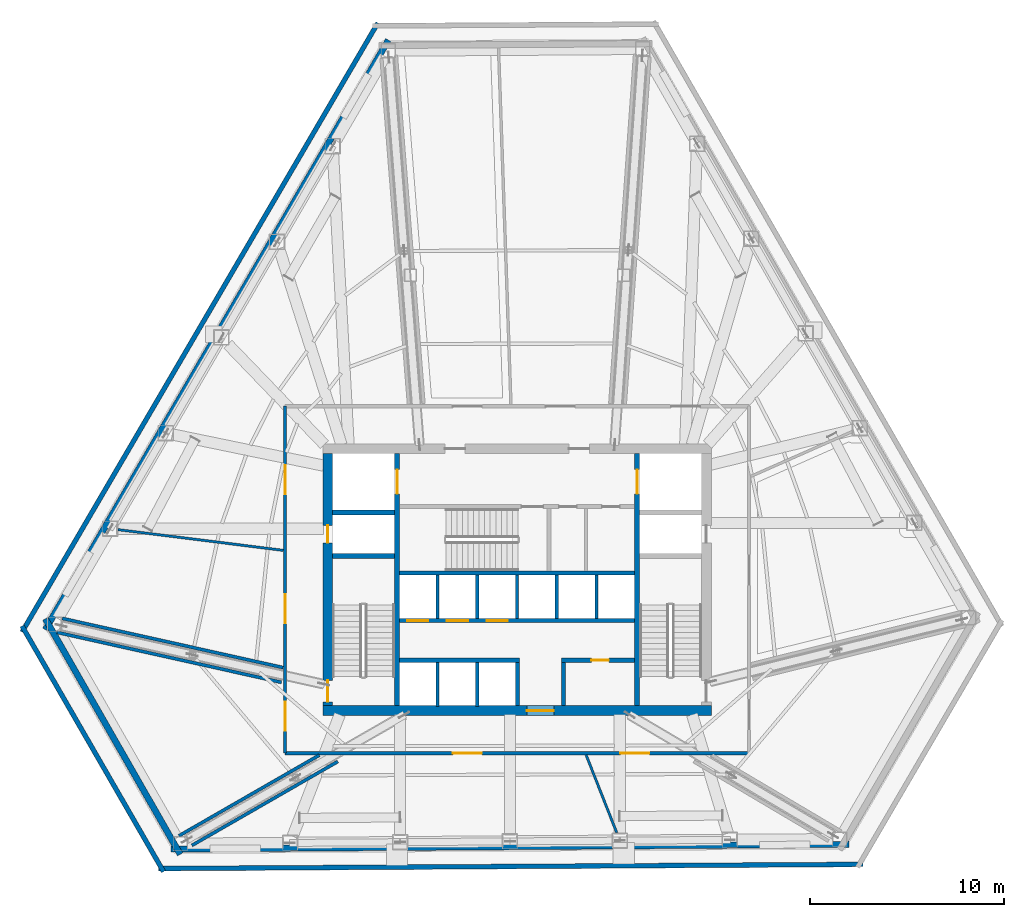
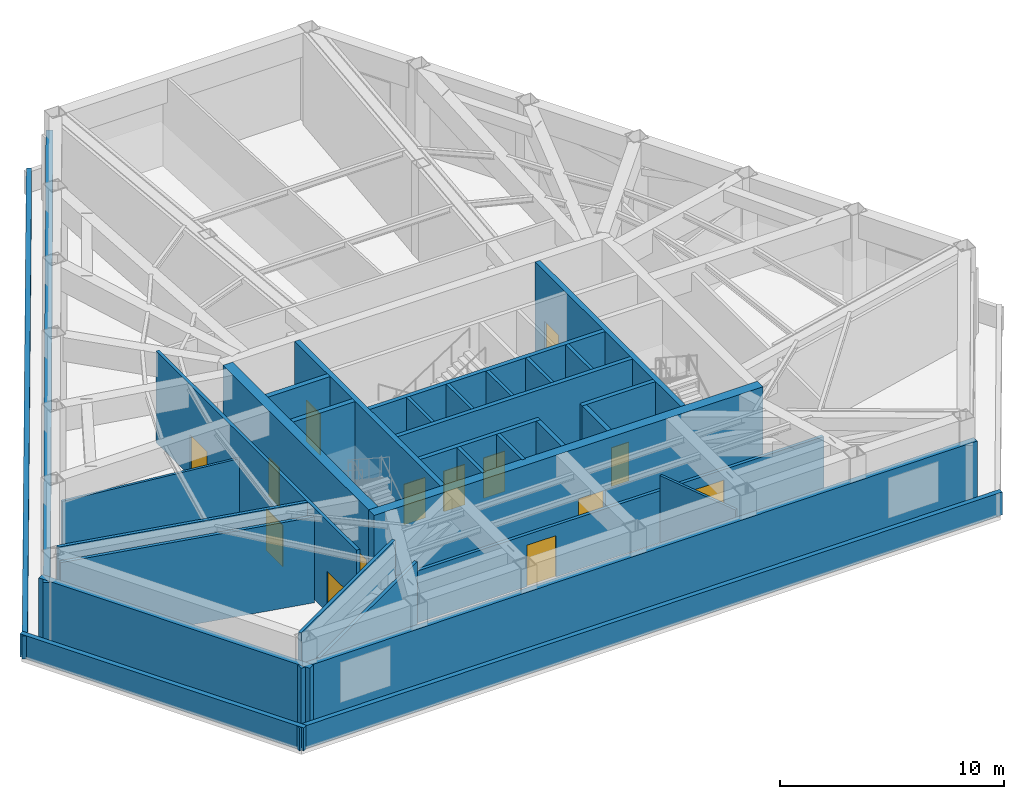
# One storey, part 8 of 12: 33 walls, 14 doors, 14 openings.
"""IFC4 building model written with IfcOpenShell, lengths in metres."""

import ifcopenshell
import ifcopenshell.guid

model = None  # the IFC model being written
_history = None  # IfcOwnerHistory: only IFC2X3 demands one
_inside = {}  # id of a spatial element -> (the spatial element, [elements in it])
_under = {}  # id of a project, library or spatial element -> (it, [spatial elements below it])
_declared = {}  # id of a project -> (the project, [libraries it declares])
_typed = {}  # id of a type object -> (the type object, [elements of that type])
_made_of = {}  # id of a material, layer set ... -> (it, [elements and type objects made of it])


def new_model(schema):
    """Start an empty IFC model of exactly this schema.

    Asked for "IFC4X3", IfcOpenShell would pick the latest addendum, in which some entities
    have other attributes; the version numbers below select the first issue.
    IFC2X3 requires an IfcOwnerHistory on every rooted entity: one is made here for all.
    """
    global model, _history
    if schema == "IFC4X3":
        model = ifcopenshell.file(schema_version=(4, 3, 0, 0))
    else:
        model = ifcopenshell.file(schema=schema)
    _inside.clear()
    _under.clear()
    _declared.clear()
    _typed.clear()
    _made_of.clear()
    _history = None
    if model.schema == "IFC2X3":
        org = make("IfcOrganization", Name="unknown")
        user = make(
            "IfcPersonAndOrganization",
            ThePerson=make("IfcPerson", FamilyName="unknown"),
            TheOrganization=org,
        )
        app = make(
            "IfcApplication",
            ApplicationDeveloper=org,
            Version="unknown",
            ApplicationFullName="unknown",
            ApplicationIdentifier="unknown",
        )
        _history = make(
            "IfcOwnerHistory",
            OwningUser=user,
            OwningApplication=app,
            ChangeAction="ADDED",
            CreationDate=0,
        )
    return model


def make(cls, **values):
    """One entity of the class cls with the attributes given. An attribute that is None is left unset."""
    return model.create_entity(
        cls, **{name: value for name, value in values.items() if value is not None}
    )


def rooted(cls, **values):
    """An entity with a GlobalId (a new one), such as an element, a storey or a relation."""
    return make(cls, GlobalId=ifcopenshell.guid.new(), OwnerHistory=_history, **values)


def si_unit(unit_type, name, prefix=None):
    """IfcSIUnit, for example si_unit("LENGTHUNIT", "METRE", prefix="MILLI")."""
    return make("IfcSIUnit", UnitType=unit_type, Prefix=prefix, Name=name)


def assignment(units):
    """IfcUnitAssignment: the units of a project."""
    return None if units is None else make("IfcUnitAssignment", Units=units)


def point(xyz):
    """IfcCartesianPoint."""
    return None if xyz is None else make("IfcCartesianPoint", Coordinates=xyz)


def direction(xyz):
    """IfcDirection."""
    return None if xyz is None else make("IfcDirection", DirectionRatios=xyz)


def frame(location, z_axis=None, x_axis=None):
    """IfcAxis2Placement3D, a coordinate frame: its origin and axes. An axis left out is left unset."""
    return make(
        "IfcAxis2Placement3D",
        Location=point(location),
        Axis=direction(z_axis),
        RefDirection=direction(x_axis),
    )


def frame_2d(location, x_axis=None):
    """IfcAxis2Placement2D, a coordinate frame in the plane: its origin and x axis."""
    return make(
        "IfcAxis2Placement2D", Location=point(location), RefDirection=direction(x_axis)
    )


def origin():
    """The frame at (0, 0, 0) with its axes left unset."""
    return frame((0.0, 0.0, 0.0))


def place(relative_to, where):
    """IfcLocalPlacement: puts the frame where relative to a parent placement (None: the world)."""
    return make(
        "IfcLocalPlacement", PlacementRelTo=relative_to, RelativePlacement=where
    )


def context(
    kind, dimensions, precision=None, world=None, true_north=None, identifier=None
):
    """IfcGeometricRepresentationContext, for example the 3D "Model" context."""
    return make(
        "IfcGeometricRepresentationContext",
        ContextIdentifier=identifier,
        ContextType=kind,
        CoordinateSpaceDimension=dimensions,
        Precision=precision,
        WorldCoordinateSystem=world,
        TrueNorth=true_north,
    )


def subcontext(parent, identifier, kind, view, scale=None):
    """IfcGeometricRepresentationSubContext, for example "Body" below "Model"."""
    return make(
        "IfcGeometricRepresentationSubContext",
        ContextIdentifier=identifier,
        ContextType=kind,
        ParentContext=parent,
        TargetScale=scale,
        TargetView=view,
    )


def project(units=None, contexts=None):
    """IfcProject with its units and contexts."""
    return rooted(
        "IfcProject",
        Name="project",
        RepresentationContexts=contexts,
        UnitsInContext=assignment(units),
    )


def spatial(cls, under=None, at=None, **own):
    """A site, building, storey or space (cls), placed at a placement, below another one or the project."""
    s = rooted(cls, ObjectPlacement=at, **own)
    if under is not None:
        _under.setdefault(under.id(), (under, []))[1].append(s)
    return s


def profile(cls, at=None, kind="AREA", **sizes):
    """A parametric profile (cls). Its sizes go by their IFC names, for example OverallWidth=200.0."""
    return make(cls, ProfileType=kind, Position=at, **sizes)


def rectangle(**sizes):
    """IfcRectangleProfileDef."""
    return profile("IfcRectangleProfileDef", **sizes)


def extrude(swept, where, along, depth):
    """IfcExtrudedAreaSolid: the profile swept, set in the frame where, extruded along a direction by depth."""
    return make(
        "IfcExtrudedAreaSolid",
        SweptArea=swept,
        Position=where,
        ExtrudedDirection=direction(along),
        Depth=depth,
    )


def shape(context_of_items, identifier, shape_type, items):
    """IfcShapeRepresentation: the items that make up one representation, for example the "Body"."""
    return make(
        "IfcShapeRepresentation",
        ContextOfItems=context_of_items,
        RepresentationIdentifier=identifier,
        RepresentationType=shape_type,
        Items=items,
    )


def material(Name=None, Category=None):
    """IfcMaterial."""
    return make("IfcMaterial", Name=Name, Category=Category)


def layer(
    of_material, thickness, ventilated=None, Name=None, Category=None, Priority=None
):
    """IfcMaterialLayer: one layer of a wall or slab, of a material (None: an air gap)."""
    return make(
        "IfcMaterialLayer",
        Material=of_material,
        LayerThickness=thickness,
        IsVentilated=ventilated,
        Name=Name,
        Category=Category,
        Priority=Priority,
    )


def layer_set(layers, Name=None):
    """IfcMaterialLayerSet."""
    return make("IfcMaterialLayerSet", MaterialLayers=layers, LayerSetName=Name)


def made_of(thing, what):
    """Note that an element or type object is made of a material, layer set ...; save() writes the relation."""
    if what is not None:
        _made_of.setdefault(what.id(), (what, []))[1].append(thing)
    return thing


def type_object(cls, material=None, **own):
    """A type object (cls), such as IfcWallType, which elements share."""
    return made_of(rooted(cls, **own), material)


def element(
    cls,
    number,
    at=None,
    inside=None,
    cuts=None,
    type_object=None,
    material=None,
    context=None,
    identifier="Body",
    shape_type=None,
    held_by="IfcProductDefinitionShape",
    body=None,
    shapes=None,
    **own,
):
    """One element of the class cls, such as IfcWall. Its Tag is "e" and its number.

    at: its placement. inside: the storey or other place that contains it. cuts: it is an
    opening in that element (IfcRelVoidsElement). A single representation is given by context,
    identifier, shape_type and body (its items); several are given by shapes. held_by: the class
    of the entity that holds the representations. save() writes the other relations.
    """
    e = rooted(cls, Tag="e%d" % number, ObjectPlacement=at, **own)
    if body is not None:
        shapes = [shape(context, identifier, shape_type, body)]
    if shapes is not None:
        e.Representation = make(held_by, Representations=shapes)
    if inside is not None:
        _inside.setdefault(inside.id(), (inside, []))[1].append(e)
    if cuts is not None:
        rooted(
            "IfcRelVoidsElement", RelatingBuildingElement=cuts, RelatedOpeningElement=e
        )
    if type_object is not None:
        _typed.setdefault(type_object.id(), (type_object, []))[1].append(e)
    return made_of(e, material)


def fill(opening, filler):
    """IfcRelFillsElement: the door or window that sits in an opening."""
    return rooted(
        "IfcRelFillsElement",
        RelatingOpeningElement=opening,
        RelatedBuildingElement=filler,
    )


def aggregate(whole, parts):
    """IfcRelAggregates: a whole, such as a stair, and the parts it consists of."""
    return rooted("IfcRelAggregates", RelatingObject=whole, RelatedObjects=parts)


def save(model, path):
    """Write the relations noted so far, then the file.

    IfcRelAggregates (storeys below a building ...), IfcRelContainedInSpatialStructure (elements
    in a storey), IfcRelDefinesByType, IfcRelAssociatesMaterial and IfcRelDeclares: one each for
    every whole, place, type object, material and project.
    """
    for whole, parts in _under.values():
        aggregate(whole, parts)
    for where, things in _inside.values():
        rooted(
            "IfcRelContainedInSpatialStructure",
            RelatedElements=things,
            RelatingStructure=where,
        )
    for kind, things in _typed.values():
        rooted("IfcRelDefinesByType", RelatedObjects=things, RelatingType=kind)
    for what, things in _made_of.values():
        rooted("IfcRelAssociatesMaterial", RelatedObjects=things, RelatingMaterial=what)
    for by, libraries in _declared.values():
        rooted("IfcRelDeclares", RelatingContext=by, RelatedDefinitions=libraries)
    model.write(path)


model = new_model("IFC4")

# Units and contexts
model_context = context("Model", 3, precision=1e-05, world=origin(), true_north=direction((0.0, 1.0)))
body_context = subcontext(model_context, "Body", "Model", "MODEL_VIEW")
ifc_project = project(units=[si_unit("LENGTHUNIT", "METRE"), si_unit("AREAUNIT", "SQUARE_METRE"), si_unit("VOLUMEUNIT", "CUBIC_METRE"), si_unit("PLANEANGLEUNIT", "RADIAN"), si_unit("MASSUNIT", "GRAM", prefix="KILO")], contexts=[model_context])

# Site, building, storey
site_placement = place(None, origin())
site = spatial("IfcSite", under=ifc_project, at=site_placement, CompositionType="ELEMENT")
building_placement = place(site_placement, origin())
building = spatial("IfcBuilding", under=site, at=building_placement, Name="Kavelnor Concourse Tower", CompositionType="ELEMENT")
storey_placement = place(building_placement, frame((0.0, 0.0, 75.300048828125)))
storey = spatial("IfcBuildingStorey", under=building, at=storey_placement, Name="L19", CompositionType="ELEMENT", Elevation=75.300048828125)

# Wall, opening, door
ifc_material_1 = material(Name="Concrete C60/75", Category="concrete")
ifc_layer_1 = layer(ifc_material_1, 0.5, Name="Concrete C60/75")
ifc_layer_set_1 = layer_set([ifc_layer_1], Name="Concrete C60/75")
wall_type_1 = type_object("IfcWallType", Name="WL-CORE-Z2-500", PredefinedType="SOLIDWALL", material=ifc_layer_set_1)
wall_1_placement = place(storey_placement, frame((27.97998046875, 9.35009765625, 0.0), z_axis=(0.0, 0.0, 1.0), x_axis=(1.0, 0.0, 0.0)))
wall_1 = element("IfcWall", 1, at=wall_1_placement, inside=storey, type_object=wall_type_1, Name="L19 Central Core South Shear Wall", PredefinedType="SOLIDWALL", context=body_context, shape_type="SweptSolid", body=[
    extrude(rectangle(XDim=20.0400390625, YDim=0.5, at=frame_2d((10.02001953125, 0.0))), origin(), (0.0, 0.0, 1.0), 4.98486328125),
])
opening_1_placement = place(wall_1_placement, frame((10.52001953125, 0.0, 0.0)))
opening_1 = element("IfcOpeningElement", 2, at=opening_1_placement, cuts=wall_1, Name="Opening SD-140", PredefinedType="OPENING", context=body_context, shape_type="SweptSolid", body=[
    extrude(rectangle(XDim=1.39990234375, YDim=2.199951171875, at=frame_2d((0.699951171875, 1.10009765625))), frame((0.0, 0.260009765625, 0.0), z_axis=(0.0, -1.0, 0.0), x_axis=(1.0, 0.0, 0.0)), (0.0, 0.0, 1.0), 0.52001953125),
])
ifc_material_2 = material(Name="Solid-core hardwood timber", Category="wood")
door_type_1 = type_object("IfcDoorType", Name="DR-SUITE-ENTRY-1400", OperationType="NOTDEFINED", PredefinedType="DOOR", material=ifc_material_2)
door_1_placement = place(opening_1_placement, origin())
door_1 = element("IfcDoor", 3, at=door_1_placement, inside=storey, type_object=door_type_1, Name="L19 Passenger Lift Lobby Entry Door", OperationType="SINGLE_SWING_RIGHT", OverallHeight=2.199951171875, OverallWidth=1.39990234375, PredefinedType="DOOR", context=body_context, shape_type="SweptSolid", body=[
    extrude(rectangle(XDim=1.39990234375, YDim=2.199951171875, at=frame_2d((0.699951171875, 1.10009765625))), frame((0.0, 0.02490234375, 0.0), z_axis=(0.0, -1.0, 0.0), x_axis=(1.0, 0.0, 0.0)), (0.0, 0.0, 1.0), 0.050048828125),
])
fill(opening_1, door_1)

# Wall, openings, doors
wall_2_placement = place(storey_placement, frame((28.22998046875, 9.60009765625, 0.0), z_axis=(0.0, 0.0, 1.0), x_axis=(0.0, 1.0, 0.0)))
wall_2 = element("IfcWall", 4, at=wall_2_placement, inside=storey, type_object=wall_type_1, Name="L19 Central Core West Shear Wall", PredefinedType="SOLIDWALL", context=body_context, shape_type="SweptSolid", body=[
    extrude(rectangle(XDim=13.0, YDim=0.5, at=frame_2d((6.5, 0.0))), origin(), (0.0, 0.0, 1.0), 4.98486328125),
])
opening_2_placement = place(wall_2_placement, frame((0.199951171875, 0.0, 0.0)))
opening_2 = element("IfcOpeningElement", 5, at=opening_2_placement, cuts=wall_2, Name="Opening FD-110", PredefinedType="OPENING", context=body_context, shape_type="SweptSolid", body=[
    extrude(rectangle(XDim=1.10009765625, YDim=2.14990234375, at=frame_2d((0.550048828125, 1.074951171875))), frame((0.0, 0.260009765625, 0.0), z_axis=(0.0, -1.0, 0.0), x_axis=(1.0, 0.0, 0.0)), (0.0, 0.0, 1.0), 0.52001953125),
])
opening_3_placement = place(wall_2_placement, frame((8.39990234375, 0.0, 0.0)))
opening_3 = element("IfcOpeningElement", 6, at=opening_3_placement, cuts=wall_2, Name="Opening FD-090", PredefinedType="OPENING", context=body_context, shape_type="SweptSolid", body=[
    extrude(rectangle(XDim=0.89990234375, YDim=2.10009765625, at=frame_2d((0.449951171875, 1.050048828125))), frame((0.0, 0.260009765625, 0.0), z_axis=(0.0, -1.0, 0.0), x_axis=(1.0, 0.0, 0.0)), (0.0, 0.0, 1.0), 0.52001953125),
])
ifc_material_3 = material(Name="Steel Grade 350", Category="steel")
door_type_2 = type_object("IfcDoorType", Name="DR-RISER-FIRE-900", OperationType="NOTDEFINED", PredefinedType="DOOR", material=ifc_material_3)
door_2_placement = place(opening_3_placement, origin())
door_2 = element("IfcDoor", 7, at=door_2_placement, inside=storey, type_object=door_type_2, Name="L19 West Riser Access Door", OperationType="SINGLE_SWING_RIGHT", OverallHeight=2.10009765625, OverallWidth=0.89990234375, PredefinedType="DOOR", context=body_context, shape_type="SweptSolid", body=[
    extrude(rectangle(XDim=0.89990234375, YDim=2.10009765625, at=frame_2d((0.449951171875, 1.050048828125))), frame((0.0, 0.02490234375, 0.0), z_axis=(0.0, -1.0, 0.0), x_axis=(1.0, 0.0, 0.0)), (0.0, 0.0, 1.0), 0.050048828125),
])
fill(opening_3, door_2)
door_type_3 = type_object("IfcDoorType", Name="DR-STAIR-FIRE-1100", OperationType="NOTDEFINED", PredefinedType="DOOR", material=ifc_material_3)
door_3_placement = place(opening_2_placement, origin())
door_3 = element("IfcDoor", 8, at=door_3_placement, inside=storey, type_object=door_type_3, Name="L19 Stair ST1 Fire Door", OperationType="SINGLE_SWING_LEFT", OverallHeight=2.14990234375, OverallWidth=1.10009765625, PredefinedType="DOOR", context=body_context, shape_type="SweptSolid", body=[
    extrude(rectangle(XDim=1.10009765625, YDim=2.14990234375, at=frame_2d((0.550048828125, 1.074951171875))), frame((0.0, 0.02490234375, 0.0), z_axis=(0.0, -1.0, 0.0), x_axis=(1.0, 0.0, 0.0)), (0.0, 0.0, 1.0), 0.050048828125),
])
fill(opening_2, door_3)

# Walls
ifc_material_4 = material(Name="Buff ironspot clay face brick masonry", Category="masonry")
ifc_layer_2 = layer(ifc_material_4, 0.320068359375, Name="Buff ironspot clay face brick masonry")
ifc_layer_set_2 = layer_set([ifc_layer_2], Name="Buff ironspot clay face brick masonry")
wall_type_2 = type_object("IfcWallType", Name="WL-EXT-BUFF-BRICK-SPANDREL-320", PredefinedType="STANDARD", material=ifc_layer_set_2)
wall_3_placement = place(storey_placement, frame((13.66455078125, 13.523681640625, 0.0), z_axis=(0.0, 0.0, 1.0), x_axis=(0.50295003743, 0.864315486295, 0.0)))
element("IfcWall", 9, at=wall_3_placement, inside=storey, type_object=wall_type_2, Name="L19 Exterior Brick Facade Wall E1", PredefinedType="STANDARD", context=body_context, shape_type="SweptSolid", body=[
    extrude(rectangle(XDim=35.18359375, YDim=0.320068359375, at=frame_2d((17.591796875, 0.0))), origin(), (0.0, 0.0, 1.0), 3.677001953125),
])
wall_4_placement = place(storey_placement, frame((20.624755859375, 1.931396484375, 0.0), z_axis=(0.0, 0.0, 1.0), x_axis=(-0.497008188636, 0.867745850136, 0.0)))
element("IfcWall", 10, at=wall_4_placement, inside=storey, type_object=wall_type_2, Name="L19 Exterior Brick Facade Wall E2", PredefinedType="STANDARD", context=body_context, shape_type="SweptSolid", body=[
    extrude(rectangle(XDim=14.000244140625, YDim=0.320068359375, at=frame_2d((7.0, 0.0))), origin(), (0.0, 0.0, 1.0), 3.677001953125),
])
wall_5_placement = place(storey_placement, frame((55.119384765625, 2.44921875, 0.0), z_axis=(0.0, 0.0, 1.0), x_axis=(-0.999976414427, -0.00686808493, 0.0)))
element("IfcWall", 11, at=wall_5_placement, inside=storey, type_object=wall_type_2, Name="L19 Exterior Brick Facade Wall E3", PredefinedType="STANDARD", context=body_context, shape_type="SweptSolid", body=[
    extrude(rectangle(XDim=34.978271484375, YDim=0.320068359375, at=frame_2d((17.4892578125, 0.0))), origin(), (0.0, 0.0, 1.0), 3.677001953125),
])
ifc_material_5 = material(Name="Gypsum plasterboard on light-gauge steel studs", Category="steel")
ifc_layer_3 = layer(ifc_material_5, 0.1650390625, Name="Gypsum plasterboard on light-gauge steel studs")
ifc_layer_set_3 = layer_set([ifc_layer_3], Name="Gypsum plasterboard on light-gauge steel studs")
wall_type_3 = type_object("IfcWallType", Name="WL-INT-FIRE-165", PredefinedType="PARTITIONING", material=ifc_layer_set_3)
for number, where, z_axis, x_axis, name in (
    (12, (33.89990234375, 9.550048828125, 0.0), (0.0, 0.0, 1.0), (0.0, 1.0, 0.0), "L19 Lift Shaft Divider LP7"),
    (13, (35.949951171875, 9.550048828125, 0.0), (0.0, 0.0, 1.0), (0.0, 1.0, 0.0), "L19 Lift Shaft Divider LP8"),
):
    element("IfcWall", number, at=place(storey_placement, frame(where, z_axis=z_axis, x_axis=x_axis)), inside=storey, type_object=wall_type_3, Name=name, PredefinedType="PARTITIONING", context=body_context, shape_type="SweptSolid", body=[
        extrude(rectangle(XDim=2.2900390625, YDim=0.1650390625, at=frame_2d((1.14501953125, 0.0))), origin(), (0.0, 0.0, 1.0), 4.98486328125),
    ])
for number, where, z_axis, x_axis, name in (
    (14, (33.89990234375, 14.10009765625, 0.0), (0.0, 0.0, 1.0), (0.0, 1.0, 0.0), "L19 Lift Shaft Divider LP1"),
    (15, (35.949951171875, 14.10009765625, 0.0), (0.0, 0.0, 1.0), (0.0, 1.0, 0.0), "L19 Lift Shaft Divider LP2"),
    (16, (38.0, 14.10009765625, 0.0), (0.0, 0.0, 1.0), (0.0, 1.0, 0.0), "L19 Lift Shaft Divider LP3"),
    (17, (40.050048828125, 14.10009765625, 0.0), (0.0, 0.0, 1.0), (0.0, 1.0, 0.0), "L19 Lift Shaft Divider LP4"),
    (18, (42.10009765625, 14.10009765625, 0.0), (0.0, 0.0, 1.0), (0.0, 1.0, 0.0), "L19 Lift Shaft Divider LP5"),
):
    element("IfcWall", number, at=place(storey_placement, frame(where, z_axis=z_axis, x_axis=x_axis)), inside=storey, type_object=wall_type_3, Name=name, PredefinedType="PARTITIONING", context=body_context, shape_type="SweptSolid", body=[
        extrude(rectangle(XDim=2.239990234375, YDim=0.1650390625, at=frame_2d((1.1201171875, 0.0))), origin(), (0.0, 0.0, 1.0), 4.98486328125),
    ])

# Wall, openings, doors
wall_6_placement = place(storey_placement, frame((26.030029296875, 7.14990234375, 0.0), z_axis=(0.0, 0.0, 1.0), x_axis=(1.0, 0.0, 0.0)))
wall_6 = element("IfcWall", 19, at=wall_6_placement, inside=storey, type_object=wall_type_3, Name="L19 Corridor Wall WL-L19-CR-S", PredefinedType="PARTITIONING", context=body_context, shape_type="SweptSolid", body=[
    extrude(rectangle(XDim=23.93994140625, YDim=0.1650390625, at=frame_2d((11.969970703125, 0.0))), origin(), (0.0, 0.0, 1.0), 2.824951171875),
])
opening_4_placement = place(wall_6_placement, frame((8.652099609375, 0.0, 0.0)))
opening_4 = element("IfcOpeningElement", 20, at=opening_4_placement, cuts=wall_6, Name="Opening PD-150", PredefinedType="OPENING", context=body_context, shape_type="SweptSolid", body=[
    extrude(rectangle(XDim=1.5, YDim=2.25, at=frame_2d((0.75, 1.125))), frame((0.0, 0.092529296875, 0.0), z_axis=(0.0, -1.0, 0.0), x_axis=(1.0, 0.0, 0.0)), (0.0, 0.0, 1.0), 0.18505859375),
])
opening_5_placement = place(wall_6_placement, frame((17.29541015625, 0.0, 0.0)))
opening_5 = element("IfcOpeningElement", 21, at=opening_5_placement, cuts=wall_6, Name="Opening PD-150", PredefinedType="OPENING", context=body_context, shape_type="SweptSolid", body=[
    extrude(rectangle(XDim=1.5, YDim=2.25, at=frame_2d((0.75, 1.125))), frame((0.0, 0.092529296875, 0.0), z_axis=(0.0, -1.0, 0.0), x_axis=(1.0, 0.0, 0.0)), (0.0, 0.0, 1.0), 0.18505859375),
])
door_type_4 = type_object("IfcDoorType", Name="DR-PLANT-1500", OperationType="NOTDEFINED", PredefinedType="DOOR", material=ifc_material_3)
door_4_placement = place(opening_4_placement, origin())
door_4 = element("IfcDoor", 22, at=door_4_placement, inside=storey, type_object=door_type_4, Name="L19 Refuge Area North-West 08 Door", OperationType="DOUBLE_DOOR_SINGLE_SWING", OverallHeight=2.25, OverallWidth=1.5, PredefinedType="DOOR", context=body_context, shape_type="SweptSolid", body=[
    extrude(rectangle(XDim=1.5, YDim=2.25, at=frame_2d((0.75, 1.125))), frame((0.0, 0.02490234375, 0.0), z_axis=(0.0, -1.0, 0.0), x_axis=(1.0, 0.0, 0.0)), (0.0, 0.0, 1.0), 0.050048828125),
])
fill(opening_4, door_4)
door_5_placement = place(opening_5_placement, origin())
door_5 = element("IfcDoor", 23, at=door_5_placement, inside=storey, type_object=door_type_4, Name="L19 Air Handling and Chiller Plant Room 09 Door", OperationType="DOUBLE_DOOR_SINGLE_SWING", OverallHeight=2.25, OverallWidth=1.5, PredefinedType="DOOR", context=body_context, shape_type="SweptSolid", body=[
    extrude(rectangle(XDim=1.5, YDim=2.25, at=frame_2d((0.75, 1.125))), frame((0.0, 0.02490234375, 0.0), z_axis=(0.0, -1.0, 0.0), x_axis=(1.0, 0.0, 0.0)), (0.0, 0.0, 1.0), 0.050048828125),
])
fill(opening_5, door_5)

wall_7_placement = place(storey_placement, frame((26.030029296875, 7.14990234375, 0.0), z_axis=(0.0, 0.0, 1.0), x_axis=(0.0, 1.0, 0.0)))
wall_7 = element("IfcWall", 24, at=wall_7_placement, inside=storey, type_object=wall_type_3, Name="L19 Corridor Wall WL-L19-CR-W", PredefinedType="PARTITIONING", context=body_context, shape_type="SweptSolid", body=[
    extrude(rectangle(XDim=17.900146484375, YDim=0.1650390625, at=frame_2d((8.9501953125, 0.0))), origin(), (0.0, 0.0, 1.0), 4.98486328125),
])
opening_6_placement = place(wall_7_placement, frame((13.347412109375, 0.0, 0.0)))
opening_6 = element("IfcOpeningElement", 25, at=opening_6_placement, cuts=wall_7, Name="Opening PD-150", PredefinedType="OPENING", context=body_context, shape_type="SweptSolid", body=[
    extrude(rectangle(XDim=1.5, YDim=2.25, at=frame_2d((0.75, 1.125))), frame((0.0, 0.092529296875, 0.0), z_axis=(0.0, -1.0, 0.0), x_axis=(1.0, 0.0, 0.0)), (0.0, 0.0, 1.0), 0.18505859375),
])
opening_7_placement = place(wall_7_placement, frame((6.696533203125, 0.0, 0.0)))
opening_7 = element("IfcOpeningElement", 26, at=opening_7_placement, cuts=wall_7, Name="Opening PD-150", PredefinedType="OPENING", context=body_context, shape_type="SweptSolid", body=[
    extrude(rectangle(XDim=1.5, YDim=2.25, at=frame_2d((0.75, 1.125))), frame((0.0, 0.092529296875, 0.0), z_axis=(0.0, -1.0, 0.0), x_axis=(1.0, 0.0, 0.0)), (0.0, 0.0, 1.0), 0.18505859375),
])
opening_8_placement = place(wall_7_placement, frame((1.147216796875, 0.0, 0.0)))
opening_8 = element("IfcOpeningElement", 27, at=opening_8_placement, cuts=wall_7, Name="Opening PD-150", PredefinedType="OPENING", context=body_context, shape_type="SweptSolid", body=[
    extrude(rectangle(XDim=1.5, YDim=2.25, at=frame_2d((0.75, 1.125))), frame((0.0, 0.092529296875, 0.0), z_axis=(0.0, -1.0, 0.0), x_axis=(1.0, 0.0, 0.0)), (0.0, 0.0, 1.0), 0.18505859375),
])
door_6_placement = place(opening_6_placement, origin())
door_6 = element("IfcDoor", 28, at=door_6_placement, inside=storey, type_object=door_type_4, Name="L19 Electrical Switchgear Plant Room 05 Door", OperationType="DOUBLE_DOOR_SINGLE_SWING", OverallHeight=2.25, OverallWidth=1.5, PredefinedType="DOOR", context=body_context, shape_type="SweptSolid", body=[
    extrude(rectangle(XDim=1.5, YDim=2.25, at=frame_2d((0.75, 1.125))), frame((0.0, 0.02490234375, 0.0), z_axis=(0.0, -1.0, 0.0), x_axis=(1.0, 0.0, 0.0)), (0.0, 0.0, 1.0), 0.050048828125),
])
fill(opening_6, door_6)
door_7_placement = place(opening_7_placement, origin())
door_7 = element("IfcDoor", 29, at=door_7_placement, inside=storey, type_object=door_type_4, Name="L19 Fire Relay Pump Plant Room 06 Door", OperationType="DOUBLE_DOOR_SINGLE_SWING", OverallHeight=2.25, OverallWidth=1.5, PredefinedType="DOOR", context=body_context, shape_type="SweptSolid", body=[
    extrude(rectangle(XDim=1.5, YDim=2.25, at=frame_2d((0.75, 1.125))), frame((0.0, 0.02490234375, 0.0), z_axis=(0.0, -1.0, 0.0), x_axis=(1.0, 0.0, 0.0)), (0.0, 0.0, 1.0), 0.050048828125),
])
fill(opening_7, door_7)
door_8_placement = place(opening_8_placement, origin())
door_8 = element("IfcDoor", 30, at=door_8_placement, inside=storey, type_object=door_type_4, Name="L19 Refuge Area North-East 07 Door", OperationType="DOUBLE_DOOR_SINGLE_SWING", OverallHeight=2.25, OverallWidth=1.5, PredefinedType="DOOR", context=body_context, shape_type="SweptSolid", body=[
    extrude(rectangle(XDim=1.5, YDim=2.25, at=frame_2d((0.75, 1.125))), frame((0.0, 0.02490234375, 0.0), z_axis=(0.0, -1.0, 0.0), x_axis=(1.0, 0.0, 0.0)), (0.0, 0.0, 1.0), 0.050048828125),
])
fill(opening_8, door_8)

# Walls
wall_8_placement = place(storey_placement, frame((25.847412109375, 10.803466796875, 0.0), z_axis=(0.0, 0.0, 1.0), x_axis=(-0.976091088051, 0.217361882184, 0.0)))
element("IfcWall", 31, at=wall_8_placement, inside=storey, type_object=wall_type_3, Name="L19 Outrigger Truss Zone Wall 2L", PredefinedType="PARTITIONING", context=body_context, shape_type="SweptSolid", body=[
    extrude(rectangle(XDim=11.86328125, YDim=0.1650390625, at=frame_2d((5.931640625, 0.0))), origin(), (0.0, 0.0, 1.0), 4.6728515625),
])
wall_9_placement = place(storey_placement, frame((25.929931640625, 11.563720703125, 0.0), z_axis=(0.0, 0.0, 1.0), x_axis=(-0.976090986432, 0.21736233852, 0.0)))
element("IfcWall", 32, at=wall_9_placement, inside=storey, type_object=wall_type_3, Name="L19 Outrigger Truss Zone Wall 2R", PredefinedType="PARTITIONING", context=body_context, shape_type="SweptSolid", body=[
    extrude(rectangle(XDim=11.671142578125, YDim=0.1650390625, at=frame_2d((5.83544921875, 0.0))), origin(), (0.0, 0.0, 1.0), 4.98486328125),
])
wall_10_placement = place(storey_placement, frame((28.754150390625, 6.720703125, 0.0), z_axis=(0.0, 0.0, 1.0), x_axis=(-0.866925433787, -0.498437851947, 0.0)))
element("IfcWall", 33, at=wall_10_placement, inside=storey, type_object=wall_type_3, Name="L19 Outrigger Truss Zone Wall 3L", PredefinedType="PARTITIONING", context=body_context, shape_type="SweptSolid", body=[
    extrude(rectangle(XDim=8.685302734375, YDim=0.1650390625, at=frame_2d((4.3427734375, 0.0))), origin(), (0.0, 0.0, 1.0), 3.679931640625),
])
wall_11_placement = place(storey_placement, frame((27.802490234375, 7.050048828125, 0.0), z_axis=(0.0, 0.0, 1.0), x_axis=(-0.866923020548, -0.498442049233, 0.0)))
element("IfcWall", 34, at=wall_11_placement, inside=storey, type_object=wall_type_3, Name="L19 Outrigger Truss Zone Wall 3R", PredefinedType="PARTITIONING", context=body_context, shape_type="SweptSolid", body=[
    extrude(rectangle(XDim=8.361572265625, YDim=0.1650390625, at=frame_2d((4.1806640625, 0.0))), origin(), (0.0, 0.0, 1.0), 4.98486328125),
])
ifc_layer_4 = layer(ifc_material_5, 0.125, Name="Gypsum plasterboard on light-gauge steel studs")
ifc_layer_set_4 = layer_set([ifc_layer_4], Name="Gypsum plasterboard on light-gauge steel studs")
wall_type_4 = type_object("IfcWallType", Name="WL-INT-SUITE-125", PredefinedType="PARTITIONING", material=ifc_layer_set_4)
wall_12_placement = place(storey_placement, frame((25.939453125, 17.61181640625, 0.0), z_axis=(0.0, 0.0, 1.0), x_axis=(-0.992233655776, 0.124387991159, 0.0)))
element("IfcWall", 35, at=wall_12_placement, inside=storey, type_object=wall_type_4, Name="L19 Radial Suite Partition 03", PredefinedType="PARTITIONING", context=body_context, shape_type="SweptSolid", body=[
    extrude(rectangle(XDim=8.5908203125, YDim=0.125, at=frame_2d((4.29541015625, 0.0))), origin(), (0.0, 0.0, 1.0), 3.679931640625),
])
wall_13_placement = place(storey_placement, frame((41.56103515625, 7.0595703125, 0.0), z_axis=(0.0, 0.0, 1.0), x_axis=(0.366457709217, -0.930434708808, 0.0)))
element("IfcWall", 36, at=wall_13_placement, inside=storey, type_object=wall_type_4, Name="L19 Radial Suite Partition 04", PredefinedType="PARTITIONING", context=body_context, shape_type="SweptSolid", body=[
    extrude(rectangle(XDim=4.313720703125, YDim=0.125, at=frame_2d((2.15673828125, 0.0))), origin(), (0.0, 0.0, 1.0), 3.679931640625),
])
ifc_material_6 = material(Name="Red-ochre clay face brick masonry", Category="masonry")
ifc_layer_5 = layer(ifc_material_6, 0.239990234375, Name="Red-ochre clay face brick masonry")
ifc_layer_set_5 = layer_set([ifc_layer_5], Name="Red-ochre clay face brick masonry")
wall_type_5 = type_object("IfcWallType", Name="WL-PARAPET-BRICK-240", PredefinedType="PARAPET", material=ifc_layer_set_5)
wall_14_placement = place(storey_placement, frame((30.8212890625, 44.82177734375, 0.0), z_axis=(0.0, 0.0, 1.0), x_axis=(-0.504421897802, -0.863457323218, 0.0)))
element("IfcWall", 37, at=wall_14_placement, inside=storey, type_object=wall_type_5, Name="L19 Setback Roof Brick Parapet E1", PredefinedType="PARAPET", context=body_context, shape_type="SweptSolid", body=[
    extrude(rectangle(XDim=36.39453125, YDim=0.239990234375, at=frame_2d((18.197265625, 0.0))), origin(), (0.0, 0.0, 1.0), 1.25),
])
wall_15_placement = place(storey_placement, frame((12.464111328125, 13.710205078125, 0.0), z_axis=(0.0, 0.0, 1.0), x_axis=(0.499266541077, -0.86644845257, 0.0)))
element("IfcWall", 38, at=wall_15_placement, inside=storey, type_object=wall_type_5, Name="L19 Setback Roof Brick Parapet E2", PredefinedType="PARAPET", context=body_context, shape_type="SweptSolid", body=[
    extrude(rectangle(XDim=14.62060546875, YDim=0.239990234375, at=frame_2d((7.310302734375, 0.0))), origin(), (0.0, 0.0, 1.0), 1.25),
])
wall_16_placement = place(storey_placement, frame((19.49169921875, 1.198486328125, 0.0), z_axis=(0.0, 0.0, 1.0), x_axis=(0.999982246472, 0.005958753225, 0.0)))
element("IfcWall", 39, at=wall_16_placement, inside=storey, type_object=wall_type_5, Name="L19 Setback Roof Brick Parapet E3", PredefinedType="PARAPET", context=body_context, shape_type="SweptSolid", body=[
    extrude(rectangle(XDim=36.342041015625, YDim=0.239990234375, at=frame_2d((18.1708984375, 0.0))), origin(), (0.0, 0.0, 1.0), 1.25),
])
ifc_material_7 = material(Name="Concrete C50/60", Category="concrete")
ifc_layer_6 = layer(ifc_material_7, 0.219970703125, Name="Concrete C50/60")
ifc_layer_set_6 = layer_set([ifc_layer_6], Name="Concrete C50/60")
wall_type_6 = type_object("IfcWallType", Name="WL-SHAFT-220", PredefinedType="SOLIDWALL", material=ifc_layer_set_6)
wall_17_placement = place(storey_placement, frame((31.93994140625, 16.449951171875, 0.0), z_axis=(0.0, 0.0, 1.0), x_axis=(1.0, 0.0, 0.0)))
element("IfcWall", 40, at=wall_17_placement, inside=storey, type_object=wall_type_6, Name="L19 Stair ST3 South Core Wall", PredefinedType="SOLIDWALL", context=body_context, shape_type="SweptSolid", body=[
    extrude(rectangle(XDim=12.1201171875, YDim=0.219970703125, at=frame_2d((6.06005859375, 0.0))), origin(), (0.0, 0.0, 1.0), 4.98486328125),
])

# Wall, openings, doors
wall_18_placement = place(storey_placement, frame((31.93994140625, 13.989990234375, 0.0), z_axis=(0.0, 0.0, 1.0), x_axis=(1.0, 0.0, 0.0)))
wall_18 = element("IfcWall", 41, at=wall_18_placement, inside=storey, type_object=wall_type_6, Name="L19 North Lift Row Shaft Wall", PredefinedType="SOLIDWALL", context=body_context, shape_type="SweptSolid", body=[
    extrude(rectangle(XDim=12.1201171875, YDim=0.219970703125, at=frame_2d((6.06005859375, 0.0))), origin(), (0.0, 0.0, 1.0), 4.98486328125),
])
opening_9_placement = place(wall_18_placement, frame((0.385009765625, 0.0, 0.0)))
opening_9 = element("IfcOpeningElement", 42, at=opening_9_placement, cuts=wall_18, Name="Opening LD-110", PredefinedType="OPENING", context=body_context, shape_type="SweptSolid", body=[
    extrude(rectangle(XDim=1.10009765625, YDim=2.199951171875, at=frame_2d((0.550048828125, 1.10009765625))), frame((0.0, 0.1201171875, 0.0), z_axis=(0.0, -1.0, 0.0), x_axis=(1.0, 0.0, 0.0)), (0.0, 0.0, 1.0), 0.239990234375),
])
opening_10_placement = place(wall_18_placement, frame((2.43505859375, 0.0, 0.0)))
opening_10 = element("IfcOpeningElement", 43, at=opening_10_placement, cuts=wall_18, Name="Opening LD-110", PredefinedType="OPENING", context=body_context, shape_type="SweptSolid", body=[
    extrude(rectangle(XDim=1.10009765625, YDim=2.199951171875, at=frame_2d((0.550048828125, 1.10009765625))), frame((0.0, 0.1201171875, 0.0), z_axis=(0.0, -1.0, 0.0), x_axis=(1.0, 0.0, 0.0)), (0.0, 0.0, 1.0), 0.239990234375),
])
opening_11_placement = place(wall_18_placement, frame((4.485107421875, 0.0, 0.0)))
opening_11 = element("IfcOpeningElement", 44, at=opening_11_placement, cuts=wall_18, Name="Opening LD-110", PredefinedType="OPENING", context=body_context, shape_type="SweptSolid", body=[
    extrude(rectangle(XDim=1.10009765625, YDim=2.199951171875, at=frame_2d((0.550048828125, 1.10009765625))), frame((0.0, 0.1201171875, 0.0), z_axis=(0.0, -1.0, 0.0), x_axis=(1.0, 0.0, 0.0)), (0.0, 0.0, 1.0), 0.239990234375),
])
door_type_5 = type_object("IfcDoorType", Name="DR-LIFT-SLIDING-1100", OperationType="NOTDEFINED", PredefinedType="DOOR", material=ifc_material_3)
door_9_placement = place(opening_9_placement, origin())
door_9 = element("IfcDoor", 45, at=door_9_placement, inside=storey, type_object=door_type_5, Name="L19 Lift LP1 Landing Door", OperationType="DOUBLE_DOOR_SLIDING", OverallHeight=2.199951171875, OverallWidth=1.10009765625, PredefinedType="DOOR", context=body_context, shape_type="SweptSolid", body=[
    extrude(rectangle(XDim=1.10009765625, YDim=2.199951171875, at=frame_2d((0.550048828125, 1.10009765625))), frame((0.0, 0.02490234375, 0.0), z_axis=(0.0, -1.0, 0.0), x_axis=(1.0, 0.0, 0.0)), (0.0, 0.0, 1.0), 0.050048828125),
])
fill(opening_9, door_9)
door_10_placement = place(opening_10_placement, origin())
door_10 = element("IfcDoor", 46, at=door_10_placement, inside=storey, type_object=door_type_5, Name="L19 Lift LP2 Landing Door", OperationType="DOUBLE_DOOR_SLIDING", OverallHeight=2.199951171875, OverallWidth=1.10009765625, PredefinedType="DOOR", context=body_context, shape_type="SweptSolid", body=[
    extrude(rectangle(XDim=1.10009765625, YDim=2.199951171875, at=frame_2d((0.550048828125, 1.10009765625))), frame((0.0, 0.02490234375, 0.0), z_axis=(0.0, -1.0, 0.0), x_axis=(1.0, 0.0, 0.0)), (0.0, 0.0, 1.0), 0.050048828125),
])
fill(opening_10, door_10)
door_11_placement = place(opening_11_placement, origin())
door_11 = element("IfcDoor", 47, at=door_11_placement, inside=storey, type_object=door_type_5, Name="L19 Lift LP3 Landing Door", OperationType="DOUBLE_DOOR_SLIDING", OverallHeight=2.199951171875, OverallWidth=1.10009765625, PredefinedType="DOOR", context=body_context, shape_type="SweptSolid", body=[
    extrude(rectangle(XDim=1.10009765625, YDim=2.199951171875, at=frame_2d((0.550048828125, 1.10009765625))), frame((0.0, 0.02490234375, 0.0), z_axis=(0.0, -1.0, 0.0), x_axis=(1.0, 0.0, 0.0)), (0.0, 0.0, 1.0), 0.050048828125),
])
fill(opening_11, door_11)

# Wall
wall_19_placement = place(storey_placement, frame((31.93994140625, 11.949951171875, 0.0), z_axis=(0.0, 0.0, 1.0), x_axis=(1.0, 0.0, 0.0)))
element("IfcWall", 48, at=wall_19_placement, inside=storey, type_object=wall_type_6, Name="L19 High-Rise Lift Bank North Wall", PredefinedType="SOLIDWALL", context=body_context, shape_type="SweptSolid", body=[
    extrude(rectangle(XDim=6.18994140625, YDim=0.219970703125, at=frame_2d((3.094970703125, 0.0))), origin(), (0.0, 0.0, 1.0), 4.98486328125),
])

# Wall, opening, door
wall_20_placement = place(storey_placement, frame((40.280029296875, 11.949951171875, 0.0), z_axis=(0.0, 0.0, 1.0), x_axis=(1.0, 0.0, 0.0)))
wall_20 = element("IfcWall", 49, at=wall_20_placement, inside=storey, type_object=wall_type_6, Name="L19 Core South Support North Wall", PredefinedType="SOLIDWALL", context=body_context, shape_type="SweptSolid", body=[
    extrude(rectangle(XDim=3.780029296875, YDim=0.219970703125, at=frame_2d((1.89013671875, 0.0))), origin(), (0.0, 0.0, 1.0), 4.98486328125),
])
opening_12_placement = place(wall_20_placement, frame((1.550048828125, 0.0, 0.0)))
opening_12 = element("IfcOpeningElement", 50, at=opening_12_placement, cuts=wall_20, Name="Opening FD-090", PredefinedType="OPENING", context=body_context, shape_type="SweptSolid", body=[
    extrude(rectangle(XDim=0.89990234375, YDim=2.10009765625, at=frame_2d((0.449951171875, 1.050048828125))), frame((0.0, 0.1201171875, 0.0), z_axis=(0.0, -1.0, 0.0), x_axis=(1.0, 0.0, 0.0)), (0.0, 0.0, 1.0), 0.239990234375),
])
door_12_placement = place(opening_12_placement, origin())
door_12 = element("IfcDoor", 51, at=door_12_placement, inside=storey, type_object=door_type_2, Name="L19 BMS Metering Door", OperationType="SINGLE_SWING_RIGHT", OverallHeight=2.10009765625, OverallWidth=0.89990234375, PredefinedType="DOOR", context=body_context, shape_type="SweptSolid", body=[
    extrude(rectangle(XDim=0.89990234375, YDim=2.10009765625, at=frame_2d((0.449951171875, 1.050048828125))), frame((0.0, 0.02490234375, 0.0), z_axis=(0.0, -1.0, 0.0), x_axis=(1.0, 0.0, 0.0)), (0.0, 0.0, 1.0), 0.050048828125),
])
fill(opening_12, door_12)

# Walls
for number, where, z_axis, x_axis, name in (
    (52, (38.02001953125, 9.60009765625, 0.0), (0.0, 0.0, 1.0), (0.0, 1.0, 0.0), "L19 Lift Lobby Throat West Wall"),
    (53, (40.389892578125, 9.60009765625, 0.0), (0.0, 0.0, 1.0), (0.0, 1.0, 0.0), "L19 Lift Lobby Throat East Wall"),
):
    element("IfcWall", number, at=place(storey_placement, frame(where, z_axis=z_axis, x_axis=x_axis)), inside=storey, type_object=wall_type_6, Name=name, PredefinedType="SOLIDWALL", context=body_context, shape_type="SweptSolid", body=[
        extrude(rectangle(XDim=2.239990234375, YDim=0.219970703125, at=frame_2d((1.1201171875, 0.0))), origin(), (0.0, 0.0, 1.0), 4.98486328125),
    ])

# Wall, opening, door
ifc_layer_7 = layer(ifc_material_7, 0.260009765625, Name="Concrete C50/60")
ifc_layer_set_7 = layer_set([ifc_layer_7], Name="Concrete C50/60")
wall_type_7 = type_object("IfcWallType", Name="WL-SHAFT-260", PredefinedType="SHEAR", material=ifc_layer_set_7)
wall_21_placement = place(storey_placement, frame((31.81005859375, 9.60009765625, 0.0), z_axis=(0.0, 0.0, 1.0), x_axis=(0.0, 1.0, 0.0)))
wall_21 = element("IfcWall", 54, at=wall_21_placement, inside=storey, type_object=wall_type_7, Name="L19 Core West Wing Shear Wall", PredefinedType="SHEAR", context=body_context, shape_type="SweptSolid", body=[
    extrude(rectangle(XDim=13.0, YDim=0.260009765625, at=frame_2d((6.5, 0.0))), origin(), (0.0, 0.0, 1.0), 4.98486328125),
])
opening_13_placement = place(wall_21_placement, frame((10.925048828125, 0.0, 0.0)))
opening_13 = element("IfcOpeningElement", 55, at=opening_13_placement, cuts=wall_21, Name="Opening LD-125", PredefinedType="OPENING", context=body_context, shape_type="SweptSolid", body=[
    extrude(rectangle(XDim=1.25, YDim=2.25, at=frame_2d((0.625, 1.125))), frame((0.0, 0.14013671875, 0.0), z_axis=(0.0, -1.0, 0.0), x_axis=(1.0, 0.0, 0.0)), (0.0, 0.0, 1.0), 0.280029296875),
])
door_type_6 = type_object("IfcDoorType", Name="DR-LIFT-SLIDING-1250", OperationType="NOTDEFINED", PredefinedType="DOOR", material=ifc_material_3)
door_13_placement = place(opening_13_placement, origin())
door_13 = element("IfcDoor", 56, at=door_13_placement, inside=storey, type_object=door_type_6, Name="L19 Emergency Lift FL1 Landing Door", OperationType="DOUBLE_DOOR_SLIDING", OverallHeight=2.25, OverallWidth=1.25, PredefinedType="DOOR", context=body_context, shape_type="SweptSolid", body=[
    extrude(rectangle(XDim=1.25, YDim=2.25, at=frame_2d((0.625, 1.125))), frame((0.0, 0.02490234375, 0.0), z_axis=(0.0, -1.0, 0.0), x_axis=(1.0, 0.0, 0.0)), (0.0, 0.0, 1.0), 0.050048828125),
])
fill(opening_13, door_13)

wall_22_placement = place(storey_placement, frame((44.18994140625, 9.60009765625, 0.0), z_axis=(0.0, 0.0, 1.0), x_axis=(0.0, 1.0, 0.0)))
wall_22 = element("IfcWall", 57, at=wall_22_placement, inside=storey, type_object=wall_type_7, Name="L19 Core East Wing Shear Wall", PredefinedType="SHEAR", context=body_context, shape_type="SweptSolid", body=[
    extrude(rectangle(XDim=13.0, YDim=0.260009765625, at=frame_2d((6.5, 0.0))), origin(), (0.0, 0.0, 1.0), 4.98486328125),
])
opening_14_placement = place(wall_22_placement, frame((10.925048828125, 0.0, 0.0)))
opening_14 = element("IfcOpeningElement", 58, at=opening_14_placement, cuts=wall_22, Name="Opening LD-125", PredefinedType="OPENING", context=body_context, shape_type="SweptSolid", body=[
    extrude(rectangle(XDim=1.25, YDim=2.25, at=frame_2d((0.625, 1.125))), frame((0.0, 0.14013671875, 0.0), z_axis=(0.0, -1.0, 0.0), x_axis=(1.0, 0.0, 0.0)), (0.0, 0.0, 1.0), 0.280029296875),
])
door_14_placement = place(opening_14_placement, origin())
door_14 = element("IfcDoor", 59, at=door_14_placement, inside=storey, type_object=door_type_6, Name="L19 Emergency Lift FL2 Landing Door", OperationType="DOUBLE_DOOR_SLIDING", OverallHeight=2.25, OverallWidth=1.25, PredefinedType="DOOR", context=body_context, shape_type="SweptSolid", body=[
    extrude(rectangle(XDim=1.25, YDim=2.25, at=frame_2d((0.625, 1.125))), frame((0.0, 0.02490234375, 0.0), z_axis=(0.0, -1.0, 0.0), x_axis=(1.0, 0.0, 0.0)), (0.0, 0.0, 1.0), 0.050048828125),
])
fill(opening_14, door_14)

# Walls
for number, where, z_axis, x_axis, name in (
    (60, (28.47998046875, 17.330078125, 0.0), (0.0, 0.0, 1.0), (1.0, 0.0, 0.0), "L19 Stair ST1 North Shaft Wall"),
    (61, (28.47998046875, 19.570068359375, 0.0), (0.0, 0.0, 1.0), (1.0, 0.0, 0.0), "L19 Emergency Lift FL1 South Shaft Wall"),
):
    element("IfcWall", number, at=place(storey_placement, frame(where, z_axis=z_axis, x_axis=x_axis)), inside=storey, type_object=wall_type_7, Name=name, PredefinedType="SHEAR", context=body_context, shape_type="SweptSolid", body=[
        extrude(rectangle(XDim=3.199951171875, YDim=0.260009765625, at=frame_2d((1.60009765625, 0.0))), origin(), (0.0, 0.0, 1.0), 4.98486328125),
    ])

save(model, "model.ifc")
